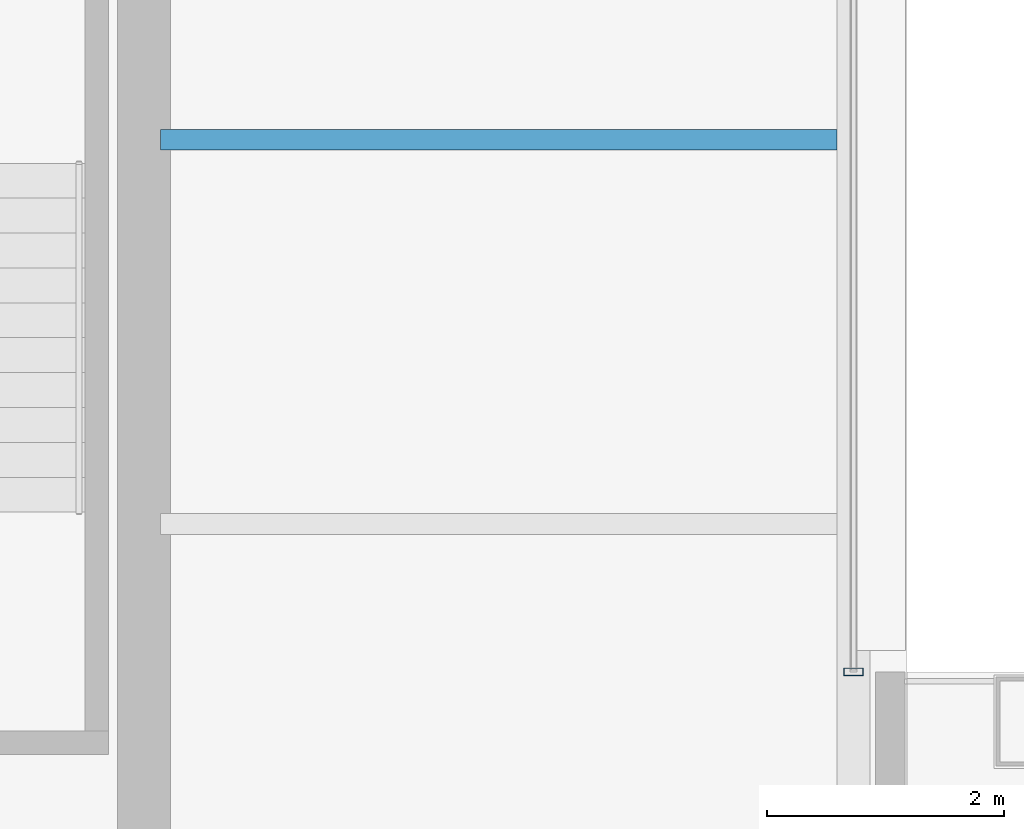
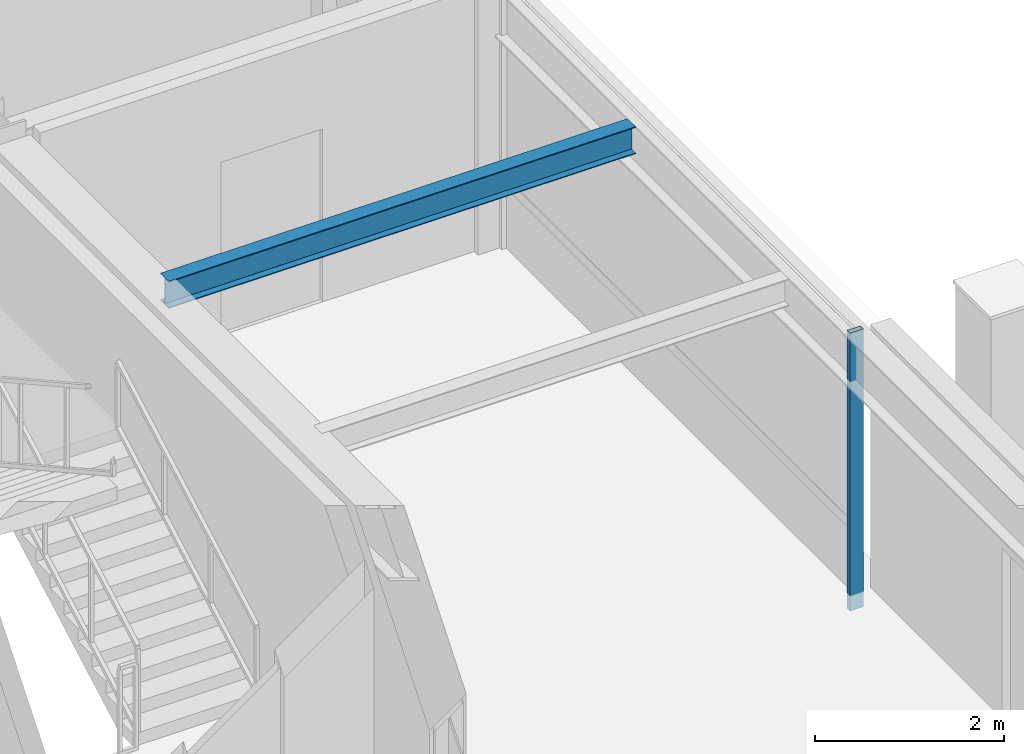
# One storey, part 18 of 33: 1 beam, 1 member, 1 element without a shape of its own.
"""IFC4 building model written with IfcOpenShell, lengths in metres."""

from ifc_helpers import new_model, si_unit, direction, frame, origin, origin_2d, place, context, subcontext, project, spatial, hollow_rectangle, i_section, extrude, material, layer, layer_set, material_profile, profile_set, type_object, element, aggregate, save


model = new_model("IFC4")

# Units and contexts
model_context = context("Model", 3, precision=1e-05, world=origin(), true_north=direction((0.0, 1.0)))
body_context = subcontext(model_context, "Body", "Model", "MODEL_VIEW")
ifc_project = project(units=[si_unit("LENGTHUNIT", "METRE"), si_unit("AREAUNIT", "SQUARE_METRE"), si_unit("VOLUMEUNIT", "CUBIC_METRE"), si_unit("PLANEANGLEUNIT", "RADIAN"), si_unit("MASSUNIT", "GRAM", prefix="KILO")], contexts=[model_context])

# Site, building, storey
site_placement = place(None, origin())
site = spatial("IfcSite", under=ifc_project, at=site_placement, CompositionType="ELEMENT")
building_placement = place(site_placement, origin())
building = spatial("IfcBuilding", under=site, at=building_placement, Name="Brelmoor Portico Tower", CompositionType="ELEMENT")
storey_placement = place(building_placement, frame((0.0, 0.0, 194.699951171875)))
storey = spatial("IfcBuildingStorey", under=building, at=storey_placement, Name="L51", CompositionType="ELEMENT", Elevation=194.699951171875)

# Beam
ifc_material_1 = material(Name="Steel Q355B", Category="steel")
ifc_material_profile_1 = material_profile(ifc_material_1, i_section(OverallWidth=0.175048828125, OverallDepth=0.35009765625, WebThickness=0.007080078125, FlangeThickness=0.010986328125, at=origin_2d()), Name="HN 350x175x7x11")
ifc_profile_set_1 = profile_set([ifc_material_profile_1], Name="Steel Q355B")
beam_type = type_object("IfcBeamType", Name="BM-JS-350", PredefinedType="JOIST", material=ifc_profile_set_1)
beam_placement = place(storey_placement, frame((14.68994140625, 6.5, 3.22509765625), z_axis=(1.0, 0.0, 0.0), x_axis=(0.0, 1.0, 0.0)))
element("IfcBeam", 1, at=beam_placement, inside=storey, type_object=beam_type, Name="L51 Secondary Wing Joist JS-E12", PredefinedType="JOIST", context=body_context, shape_type="SweptSolid", body=[
    extrude(i_section(OverallWidth=0.175048828125, OverallDepth=0.35009765625, WebThickness=0.007080078125, FlangeThickness=0.010986328125, at=origin_2d()), origin(), (0.0, 0.0, 1.0), 5.719970703125),
])

# Curtain wall, member
ifc_material_2 = material(Name="Anodised Aluminium Alloy 6063-T6", Category="aluminium")
ifc_layer = layer(ifc_material_2, 0.179931640625)
ifc_layer_set = layer_set([ifc_layer], Name="Anodised Aluminium Alloy 6063-T6")
curtain_wall_type = type_object("IfcCurtainWallType", Name="CW-TOWER-Z3", PredefinedType="NOTDEFINED", material=ifc_layer_set)
curtain_wall_placement = place(storey_placement, origin())
curtain_wall = element("IfcCurtainWall", 2, at=curtain_wall_placement, inside=storey, type_object=curtain_wall_type, Name="L51 Curtain Wall CW-L51-4R-1", PredefinedType="NOTDEFINED")
ifc_material_profile_2 = material_profile(ifc_material_2, hollow_rectangle(XDim=0.06494140625, YDim=0.1650390625, WallThickness=0.00390625, at=origin_2d()), Name="ALU MULLION 65x165")
ifc_profile_set_2 = profile_set([ifc_material_profile_2], Name="Anodised Aluminium Alloy 6063-T6")
member_type = type_object("IfcMemberType", Name="MB-CW-MULL-165", PredefinedType="MULLION", material=ifc_profile_set_2)
member_placement = place(storey_placement, frame((20.550048828125, 2.0, -0.199951171875), z_axis=(0.0, 0.0, 1.0), x_axis=(0.0, 1.0, 0.0)))
member = element("IfcMember", 3, at=member_placement, type_object=member_type, Name="CW-L51-4R-1 Mullion 00", PredefinedType="MULLION", context=body_context, shape_type="SweptSolid", body=[
    extrude(hollow_rectangle(XDim=0.06494140625, YDim=0.1650390625, WallThickness=0.00390625, at=origin_2d()), origin(), (0.0, 0.0, 1.0), 3.60009765625),
])
aggregate(curtain_wall, [member])

save(model, "model.ifc")
